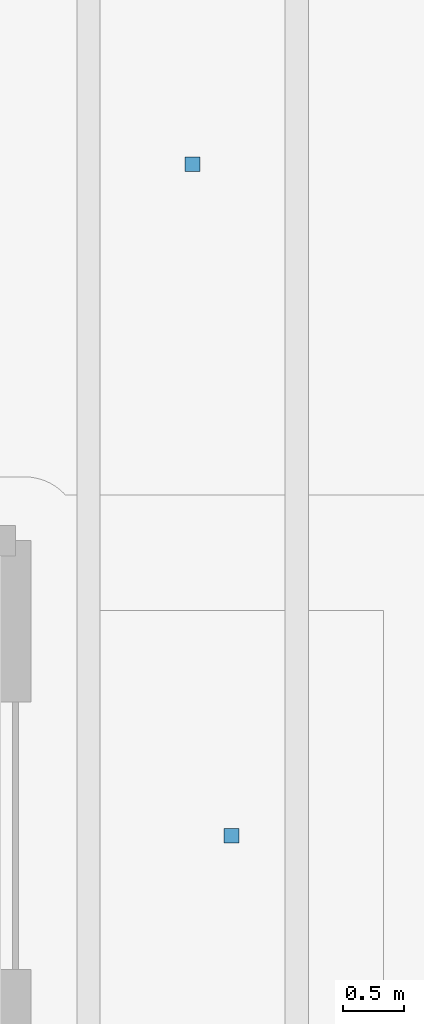
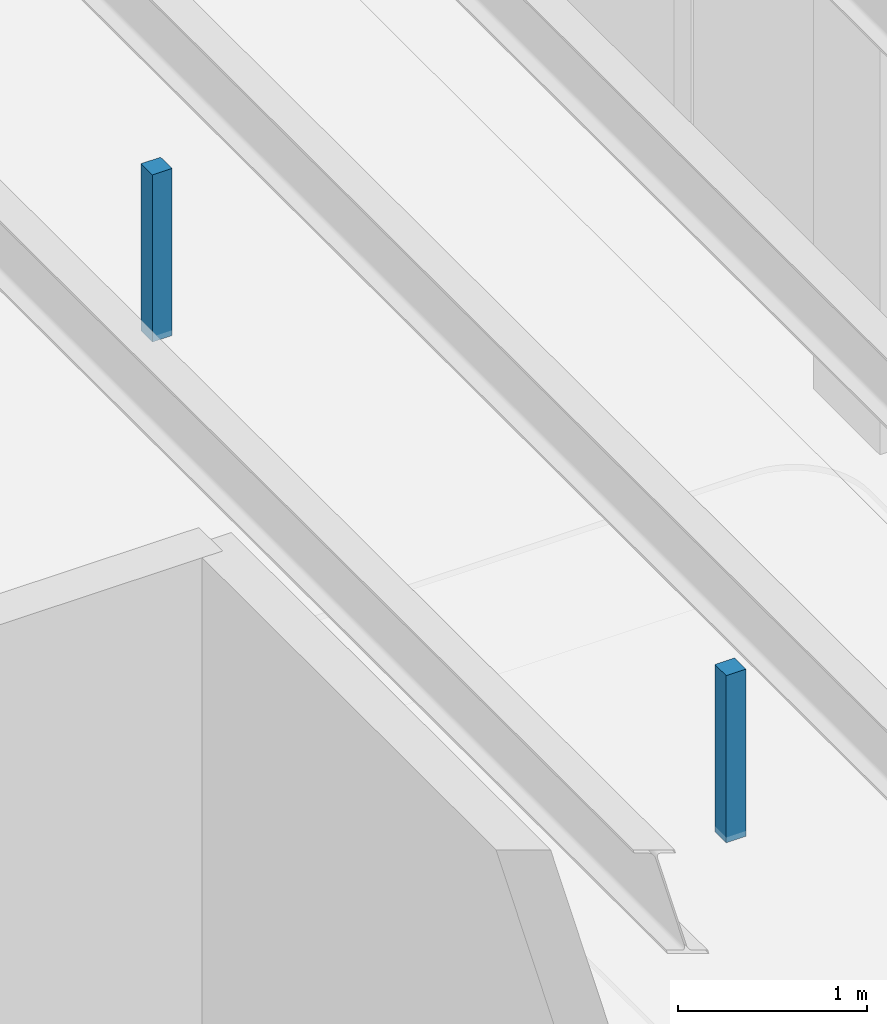
# One storey, part 64 of 100: 2 discrete accessories.
"""IFC4 building model written with IfcOpenShell, lengths in metres."""

from ifc_helpers import new_model, si_unit, direction, frame, origin, origin_2d, place, context, subcontext, project, spatial, rectangle, extrude, material, type_object, element, save


model = new_model("IFC4")

# Units and contexts
model_context = context("Model", 3, precision=1e-05, world=origin(), true_north=direction((0.0, 1.0)))
body_context = subcontext(model_context, "Body", "Model", "MODEL_VIEW")
ifc_project = project(units=[si_unit("LENGTHUNIT", "METRE"), si_unit("AREAUNIT", "SQUARE_METRE"), si_unit("VOLUMEUNIT", "CUBIC_METRE"), si_unit("PLANEANGLEUNIT", "RADIAN"), si_unit("MASSUNIT", "GRAM", prefix="KILO")], contexts=[model_context])

# Site, building, storey
site_placement = place(None, origin())
site = spatial("IfcSite", under=ifc_project, at=site_placement, CompositionType="ELEMENT")
building_placement = place(site_placement, origin())
building = spatial("IfcBuilding", under=site, at=building_placement, Name="Zlatogorsky Bluff Art Gallery", CompositionType="ELEMENT")
storey_placement = place(building_placement, frame((0.0, 0.0, 5.39990234375)))
storey = spatial("IfcBuildingStorey", under=building, at=storey_placement, Name="L01", CompositionType="ELEMENT", Elevation=5.39990234375)

# Discrete accessories
ifc_material = material(Name="Steel S355", Category="steel")
discrete_accessory_type = type_object("IfcDiscreteAccessoryType", Name="Stainless Facade Fin Bracket BRK-01", PredefinedType="BRACKET", material=ifc_material)
for number, where, z_axis, x_axis, name in (
    (1, (126.320068359375, 54.39990234375, 4.05517578125), (0.0, 0.0, 1.0), (1.0, 0.0, 0.0), "Acoustic ceiling suspension hanger L01-GL-1-LB"),
    (2, (126.0, 59.919921875, 4.05517578125), (0.0, 0.0, 1.0), (1.0, 0.0, 0.0), "Acoustic ceiling suspension hanger L01-C1-12"),
):
    element("IfcDiscreteAccessory", number, at=place(storey_placement, frame(where, z_axis=z_axis, x_axis=x_axis)), inside=storey, type_object=discrete_accessory_type, Name=name, PredefinedType="BRACKET", context=body_context, shape_type="SweptSolid", body=[
        extrude(rectangle(XDim=0.1201171875, YDim=0.1201171875, at=origin_2d()), origin(), (0.0, 0.0, 1.0), 1.080078125),
    ])

save(model, "model.ifc")
